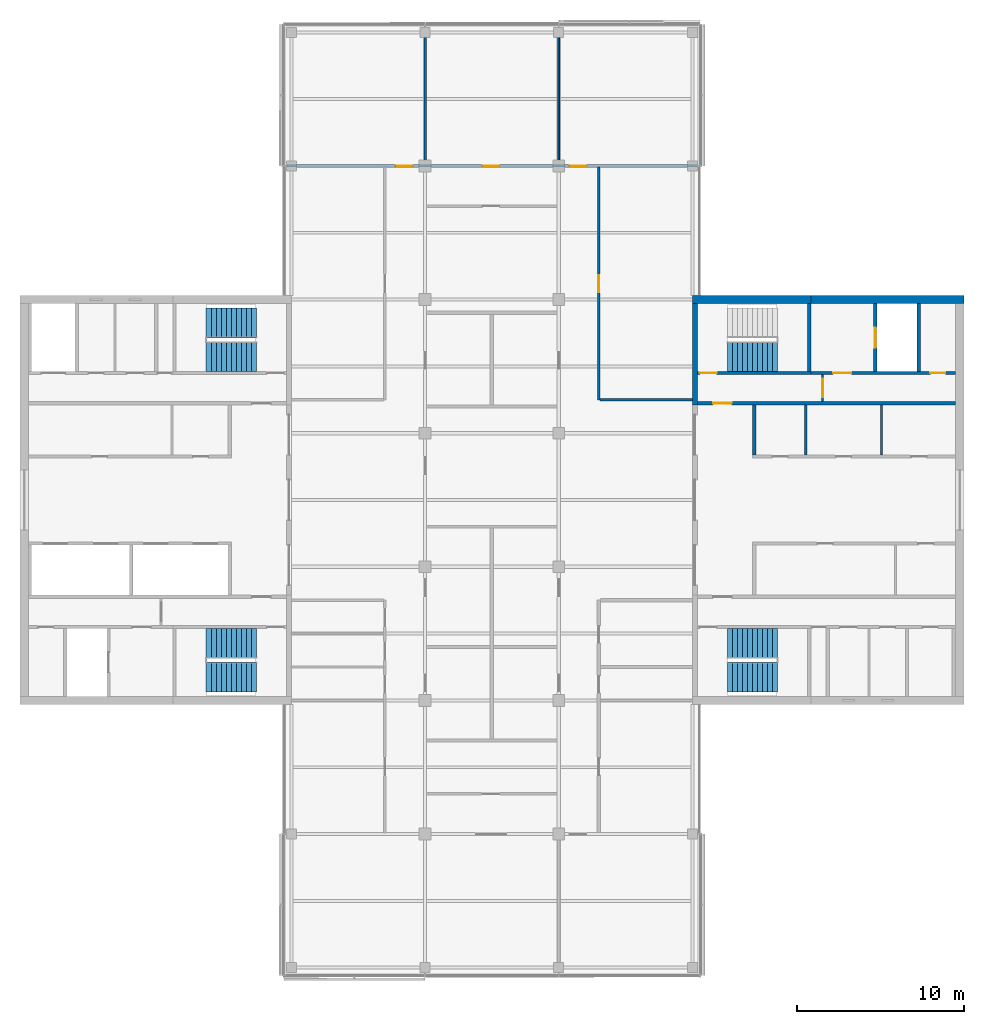
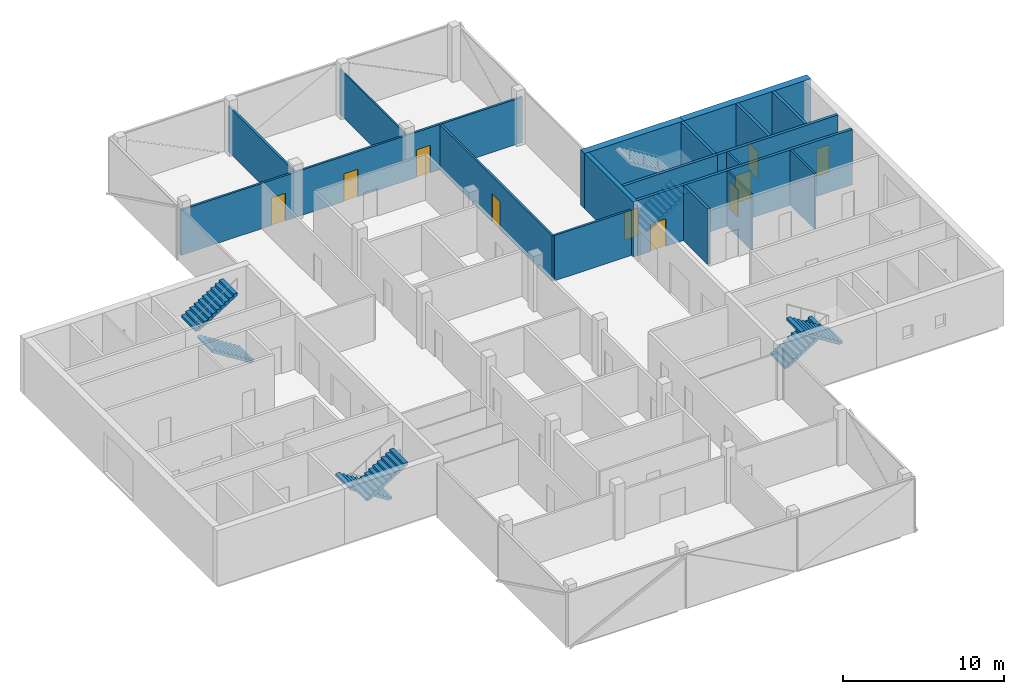
# One storey, part 12 of 16: 18 walls, 10 doors, 7 stair flights, 10 openings, 4 elements without a shape of their own.
"""IFC4 building model written with IfcOpenShell, lengths in metres."""

from ifc_helpers import new_model, si_unit, direction, frame, frame_2d, origin, place, context, subcontext, project, spatial, polyline, rectangle, outline, extrude, material, layer, layer_set, constituent, constituent_set, type_object, element, fill, aggregate, save


model = new_model("IFC4")

# Units and contexts
model_context = context("Model", 3, precision=1e-05, world=origin(), true_north=direction((0.0, 1.0)))
body_context = subcontext(model_context, "Body", "Model", "MODEL_VIEW")
ifc_project = project(units=[si_unit("LENGTHUNIT", "METRE"), si_unit("AREAUNIT", "SQUARE_METRE"), si_unit("VOLUMEUNIT", "CUBIC_METRE"), si_unit("PLANEANGLEUNIT", "RADIAN"), si_unit("MASSUNIT", "GRAM", prefix="KILO")], contexts=[model_context])

# Site, building, storey
site_placement = place(None, origin())
site = spatial("IfcSite", under=ifc_project, at=site_placement, CompositionType="ELEMENT")
building_placement = place(site_placement, origin())
building = spatial("IfcBuilding", under=site, at=building_placement, Name="Crosswind Convention Tower", CompositionType="ELEMENT")
storey_placement = place(building_placement, frame((0.0, 0.0, 291.300048828125)))
storey = spatial("IfcBuildingStorey", under=building, at=storey_placement, Name="L63", CompositionType="ELEMENT", Elevation=291.300048828125)

# Walls
ifc_material_1 = material(Name="Concrete C50/60", Category="concrete")
ifc_layer_1 = layer(ifc_material_1, 0.300048828125)
ifc_layer_set_1 = layer_set([ifc_layer_1], Name="Concrete C50/60")
wall_type_1 = type_object("IfcWallType", Name="Concrete inner core wall 300", PredefinedType="SHEAR", material=ifc_layer_set_1)
wall_1_placement = place(storey_placement, frame((137.14990234375, 105.699951171875, 0.0), z_axis=(0.0, 0.0, 1.0), x_axis=(0.0, 1.0, 0.0)))
element("IfcWall", 1, at=wall_1_placement, inside=storey, type_object=wall_type_1, Name="Wall EP E L63", PredefinedType="SHEAR", context=body_context, shape_type="SweptSolid", body=[
    extrude(rectangle(XDim=6.050048828125, YDim=0.300048828125, at=frame_2d((3.02490234375, 0.0))), origin(), (0.0, 0.0, 1.0), 4.199951171875),
])
ifc_layer_2 = layer(ifc_material_1, 0.199951171875)
ifc_layer_set_2 = layer_set([ifc_layer_2], Name="Concrete C50/60")
wall_type_2 = type_object("IfcWallType", Name="Concrete shaft and stair wall 200", PredefinedType="SHEAR", material=ifc_layer_set_2)
wall_2_placement = place(storey_placement, frame((140.699951171875, 102.699951171875, 0.0), z_axis=(0.0, 0.0, 1.0), x_axis=(0.0, 1.0, 0.0)))
element("IfcWall", 2, at=wall_2_placement, inside=storey, type_object=wall_type_2, Name="Wall RPEND E L63", PredefinedType="SHEAR", context=body_context, shape_type="SweptSolid", body=[
    extrude(rectangle(XDim=3.0, YDim=0.199951171875, at=frame_2d((1.5, 0.0))), origin(), (0.0, 0.0, 1.0), 4.199951171875),
])

# Wall, opening, door
wall_3_placement = place(storey_placement, frame((137.300048828125, 105.800048828125, 0.0), z_axis=(0.0, 0.0, 1.0), x_axis=(1.0, 0.0, 0.0)))
wall_3 = element("IfcWall", 3, at=wall_3_placement, inside=storey, type_object=wall_type_2, Name="Wall HP E L63", PredefinedType="SHEAR", context=body_context, shape_type="SweptSolid", body=[
    extrude(rectangle(XDim=15.449951171875, YDim=0.199951171875, at=frame_2d((7.72509765625, 0.0))), origin(), (0.0, 0.0, 1.0), 4.199951171875),
])
opening_1_placement = place(wall_3_placement, frame((0.949951171875, 0.0, 0.0)))
opening_1 = element("IfcOpeningElement", 4, at=opening_1_placement, cuts=wall_3, Name="Opening D104", PredefinedType="OPENING", context=body_context, shape_type="SweptSolid", body=[
    extrude(rectangle(XDim=1.10009765625, YDim=2.10009765625, at=frame_2d((0.550048828125, 1.050048828125))), frame((0.0, 0.10986328125, 0.0), z_axis=(0.0, -1.0, 0.0), x_axis=(1.0, 0.0, 0.0)), (0.0, 0.0, 1.0), 0.219970703125),
])
ifc_material_2 = material(Name="Steel fire door", Category="steel")
door_type_1 = type_object("IfcDoorType", Name="Fire-rated single door 1100x2100", OperationType="NOTDEFINED", PredefinedType="DOOR", material=ifc_material_2)
door_1_placement = place(opening_1_placement, origin())
door_1 = element("IfcDoor", 5, at=door_1_placement, inside=storey, type_object=door_type_1, Name="Corridor door L63", ObjectType="D104", OperationType="SINGLE_SWING_LEFT", OverallHeight=2.10009765625, OverallWidth=1.10009765625, PredefinedType="DOOR", context=body_context, shape_type="SweptSolid", body=[
    extrude(rectangle(XDim=1.10009765625, YDim=2.10009765625, at=frame_2d((0.550048828125, 1.050048828125))), frame((0.0, 0.02490234375, 0.0), z_axis=(0.0, -1.0, 0.0), x_axis=(1.0, 0.0, 0.0)), (0.0, 0.0, 1.0), 0.050048828125),
])
fill(opening_1, door_1)

# Wall
wall_4_placement = place(storey_placement, frame((144.0, 107.699951171875, 0.0), z_axis=(0.0, 0.0, 1.0), x_axis=(0.0, 1.0, 0.0)))
element("IfcWall", 6, at=wall_4_placement, inside=storey, type_object=wall_type_2, Name="Wall PSE E L63", PredefinedType="SHEAR", context=body_context, shape_type="SweptSolid", body=[
    extrude(rectangle(XDim=4.050048828125, YDim=0.199951171875, at=frame_2d((2.02490234375, 0.0))), origin(), (0.0, 0.0, 1.0), 4.199951171875),
])

# Wall, opening, door
wall_5_placement = place(storey_placement, frame((147.949951171875, 107.699951171875, 0.0), z_axis=(0.0, 0.0, 1.0), x_axis=(0.0, 1.0, 0.0)))
wall_5 = element("IfcWall", 7, at=wall_5_placement, inside=storey, type_object=wall_type_2, Name="Wall PFLW E L63", PredefinedType="SHEAR", context=body_context, shape_type="SweptSolid", body=[
    extrude(rectangle(XDim=4.050048828125, YDim=0.199951171875, at=frame_2d((2.02490234375, 0.0))), origin(), (0.0, 0.0, 1.0), 4.199951171875),
])
opening_2_placement = place(wall_5_placement, frame((1.425048828125, 0.0, 0.0)))
opening_2 = element("IfcOpeningElement", 8, at=opening_2_placement, cuts=wall_5, Name="Opening LD1", PredefinedType="OPENING", context=body_context, shape_type="SweptSolid", body=[
    extrude(rectangle(XDim=1.199951171875, YDim=2.10009765625, at=frame_2d((0.60009765625, 1.050048828125))), frame((0.0, 0.10986328125, 0.0), z_axis=(0.0, -1.0, 0.0), x_axis=(1.0, 0.0, 0.0)), (0.0, 0.0, 1.0), 0.219970703125),
])
ifc_material_3 = material(Name="Stainless steel", Category="steel")
door_type_2 = type_object("IfcDoorType", Name="Lift landing door 1200x2100", OperationType="DOUBLE_DOOR_SLIDING", PredefinedType="DOOR", material=ifc_material_3)
door_2_placement = place(opening_2_placement, origin())
door_2 = element("IfcDoor", 9, at=door_2_placement, inside=storey, type_object=door_type_2, Name="Landing door FF1 L63", ObjectType="LD1", OperationType="DOUBLE_DOOR_SLIDING", OverallHeight=2.10009765625, OverallWidth=1.199951171875, PredefinedType="DOOR", context=body_context, shape_type="SweptSolid", body=[
    extrude(rectangle(XDim=1.199951171875, YDim=2.10009765625, at=frame_2d((0.60009765625, 1.050048828125))), frame((0.0, 0.02490234375, 0.0), z_axis=(0.0, -1.0, 0.0), x_axis=(1.0, 0.0, 0.0)), (0.0, 0.0, 1.0), 0.050048828125),
])
fill(opening_2, door_2)

# Wall
wall_6_placement = place(storey_placement, frame((150.550048828125, 107.699951171875, 0.0), z_axis=(0.0, 0.0, 1.0), x_axis=(0.0, 1.0, 0.0)))
element("IfcWall", 10, at=wall_6_placement, inside=storey, type_object=wall_type_2, Name="Wall PFSE E L63", PredefinedType="SHEAR", context=body_context, shape_type="SweptSolid", body=[
    extrude(rectangle(XDim=4.050048828125, YDim=0.199951171875, at=frame_2d((2.02490234375, 0.0))), origin(), (0.0, 0.0, 1.0), 4.199951171875),
])

# Wall, opening, door
wall_7_placement = place(storey_placement, frame((137.300048828125, 107.60009765625, 0.0), z_axis=(0.0, 0.0, 1.0), x_axis=(1.0, 0.0, 0.0)))
wall_7 = element("IfcWall", 11, at=wall_7_placement, inside=storey, type_object=wall_type_2, Name="Wall PCW E L63", PredefinedType="SHEAR", context=body_context, shape_type="SweptSolid", body=[
    extrude(rectangle(XDim=6.800048828125, YDim=0.199951171875, at=frame_2d((3.39990234375, 0.0))), origin(), (0.0, 0.0, 1.0), 4.199951171875),
])
opening_3_placement = place(wall_7_placement, frame((0.14990234375, 0.0, 0.0)))
opening_3 = element("IfcOpeningElement", 12, at=opening_3_placement, cuts=wall_7, Name="Opening D103", PredefinedType="OPENING", context=body_context, shape_type="SweptSolid", body=[
    extrude(rectangle(XDim=1.0, YDim=2.10009765625, at=frame_2d((0.5, 1.050048828125))), frame((0.0, 0.10986328125, 0.0), z_axis=(0.0, -1.0, 0.0), x_axis=(1.0, 0.0, 0.0)), (0.0, 0.0, 1.0), 0.219970703125),
])
door_type_3 = type_object("IfcDoorType", Name="Fire-rated single door 1000x2100", OperationType="NOTDEFINED", PredefinedType="DOOR", material=ifc_material_2)
door_3_placement = place(opening_3_placement, origin())
door_3 = element("IfcDoor", 13, at=door_3_placement, inside=storey, type_object=door_type_3, Name="Stair ST1 door L63", ObjectType="D103", OperationType="SINGLE_SWING_LEFT", OverallHeight=2.10009765625, OverallWidth=1.0, PredefinedType="DOOR", context=body_context, shape_type="SweptSolid", body=[
    extrude(rectangle(XDim=1.0, YDim=2.10009765625, at=frame_2d((0.5, 1.050048828125))), frame((0.0, 0.02490234375, 0.0), z_axis=(0.0, -1.0, 0.0), x_axis=(1.0, 0.0, 0.0)), (0.0, 0.0, 1.0), 0.050048828125),
])
fill(opening_3, door_3)

# Wall, openings, doors
wall_8_placement = place(storey_placement, frame((144.10009765625, 107.60009765625, 0.0), z_axis=(0.0, 0.0, 1.0), x_axis=(1.0, 0.0, 0.0)))
wall_8 = element("IfcWall", 14, at=wall_8_placement, inside=storey, type_object=wall_type_2, Name="Wall PCX E L63", PredefinedType="SHEAR", context=body_context, shape_type="SweptSolid", body=[
    extrude(rectangle(XDim=8.64990234375, YDim=0.199951171875, at=frame_2d((4.324951171875, 0.0))), origin(), (0.0, 0.0, 1.0), 4.199951171875),
])
opening_4_placement = place(wall_8_placement, frame((1.324951171875, 0.0, 0.0)))
opening_4 = element("IfcOpeningElement", 15, at=opening_4_placement, cuts=wall_8, Name="Opening D104", PredefinedType="OPENING", context=body_context, shape_type="SweptSolid", body=[
    extrude(rectangle(XDim=1.10009765625, YDim=2.10009765625, at=frame_2d((0.550048828125, 1.050048828125))), frame((0.0, 0.10986328125, 0.0), z_axis=(0.0, -1.0, 0.0), x_axis=(1.0, 0.0, 0.0)), (0.0, 0.0, 1.0), 0.219970703125),
])
opening_5_placement = place(wall_8_placement, frame((7.14990234375, 0.0, 0.0)))
opening_5 = element("IfcOpeningElement", 16, at=opening_5_placement, cuts=wall_8, Name="Opening D106", PredefinedType="OPENING", context=body_context, shape_type="SweptSolid", body=[
    extrude(rectangle(XDim=0.89990234375, YDim=2.10009765625, at=frame_2d((0.449951171875, 1.050048828125))), frame((0.0, 0.10986328125, 0.0), z_axis=(0.0, -1.0, 0.0), x_axis=(1.0, 0.0, 0.0)), (0.0, 0.0, 1.0), 0.219970703125),
])
door_4_placement = place(opening_4_placement, origin())
door_4 = element("IfcDoor", 17, at=door_4_placement, inside=storey, type_object=door_type_1, Name="Fire-fighting lobby FF1 door L63", ObjectType="D104", OperationType="SINGLE_SWING_RIGHT", OverallHeight=2.10009765625, OverallWidth=1.10009765625, PredefinedType="DOOR", context=body_context, shape_type="SweptSolid", body=[
    extrude(rectangle(XDim=1.10009765625, YDim=2.10009765625, at=frame_2d((0.550048828125, 1.050048828125))), frame((0.0, 0.02490234375, 0.0), z_axis=(0.0, -1.0, 0.0), x_axis=(1.0, 0.0, 0.0)), (0.0, 0.0, 1.0), 0.050048828125),
])
fill(opening_4, door_4)
ifc_material_4 = material(Name="Timber door", Category="wood")
door_type_4 = type_object("IfcDoorType", Name="Single leaf door 900x2100", OperationType="NOTDEFINED", PredefinedType="DOOR", material=ifc_material_4)
door_5_placement = place(opening_5_placement, origin())
door_5 = element("IfcDoor", 18, at=door_5_placement, inside=storey, type_object=door_type_4, Name="Door to electrical room L63", ObjectType="D106", OperationType="SINGLE_SWING_RIGHT", OverallHeight=2.10009765625, OverallWidth=0.89990234375, PredefinedType="DOOR", context=body_context, shape_type="SweptSolid", body=[
    extrude(rectangle(XDim=0.89990234375, YDim=2.10009765625, at=frame_2d((0.449951171875, 1.050048828125))), frame((0.0, 0.02490234375, 0.0), z_axis=(0.0, -1.0, 0.0), x_axis=(1.0, 0.0, 0.0)), (0.0, 0.0, 1.0), 0.050048828125),
])
fill(opening_5, door_5)

# Walls
ifc_material_5 = material(Name="Gypsum plasterboard partition", Category="gypsum")
ifc_layer_3 = layer(ifc_material_5, 0.125)
ifc_layer_set_3 = layer_set([ifc_layer_3], Name="Drywall partition wall 125")
wall_type_3 = type_object("IfcWallType", Name="Drywall partition wall 125", PredefinedType="PARTITIONING", material=ifc_layer_set_3)
for number, where, z_axis, x_axis, name in (
    (19, (143.78759765625, 102.699951171875, 0.0), (0.0, 0.0, 1.0), (0.0, 1.0, 0.0), "Wall RPP1 E L63"),
    (20, (148.32861328125, 102.699951171875, 0.0), (0.0, 0.0, 1.0), (0.0, 1.0, 0.0), "Wall RPP2 E L63"),
):
    element("IfcWall", number, at=place(storey_placement, frame(where, z_axis=z_axis, x_axis=x_axis)), inside=storey, type_object=wall_type_3, Name=name, PredefinedType="PARTITIONING", context=body_context, shape_type="SweptSolid", body=[
        extrude(rectangle(XDim=3.0, YDim=0.125, at=frame_2d((1.5, 0.0))), origin(), (0.0, 0.0, 1.0), 4.199951171875),
    ])

# Wall, opening, door
wall_9_placement = place(storey_placement, frame((144.800048828125, 105.89990234375, 0.0), z_axis=(0.0, 0.0, 1.0), x_axis=(0.0, 1.0, 0.0)))
wall_9 = element("IfcWall", 21, at=wall_9_placement, inside=storey, type_object=wall_type_3, Name="Wall PXC1 E L63", PredefinedType="PARTITIONING", context=body_context, shape_type="SweptSolid", body=[
    extrude(rectangle(XDim=1.60009765625, YDim=0.125, at=frame_2d((0.800048828125, 0.0))), origin(), (0.0, 0.0, 1.0), 4.199951171875),
])
opening_6_placement = place(wall_9_placement, frame((0.25, 0.0, 0.0)))
opening_6 = element("IfcOpeningElement", 22, at=opening_6_placement, cuts=wall_9, Name="Opening D104", PredefinedType="OPENING", context=body_context, shape_type="SweptSolid", body=[
    extrude(rectangle(XDim=1.10009765625, YDim=2.10009765625, at=frame_2d((0.550048828125, 1.050048828125))), frame((0.0, 0.072509765625, 0.0), z_axis=(0.0, -1.0, 0.0), x_axis=(1.0, 0.0, 0.0)), (0.0, 0.0, 1.0), 0.14501953125),
])
door_6_placement = place(opening_6_placement, origin())
door_6 = element("IfcDoor", 23, at=door_6_placement, inside=storey, type_object=door_type_1, Name="Corridor smoke door L63", ObjectType="D104", OperationType="SINGLE_SWING_RIGHT", OverallHeight=2.10009765625, OverallWidth=1.10009765625, PredefinedType="DOOR", context=body_context, shape_type="SweptSolid", body=[
    extrude(rectangle(XDim=1.10009765625, YDim=2.10009765625, at=frame_2d((0.550048828125, 1.050048828125))), frame((0.0, 0.02490234375, 0.0), z_axis=(0.0, -1.0, 0.0), x_axis=(1.0, 0.0, 0.0)), (0.0, 0.0, 1.0), 0.050048828125),
])
fill(opening_6, door_6)

# Walls
ifc_material_6 = material(Name="Plasterboard partition", Category="gypsum")
ifc_layer_4 = layer(ifc_material_6, 0.10009765625)
ifc_layer_set_4 = layer_set([ifc_layer_4], Name="PARTITION 100 METAL STUD")
wall_type_4 = type_object("IfcWallType", Name="PARTITION 100 METAL STUD", PredefinedType="PARTITIONING", material=ifc_layer_set_4)
wall_10_placement = place(storey_placement, frame((129.0, 120.074951171875, 0.0), z_axis=(0.0, 0.0, 1.0), x_axis=(0.0, 1.0, 0.0)))
element("IfcWall", 24, at=wall_10_placement, inside=storey, type_object=wall_type_4, Name="Partition wall WT40", PredefinedType="PARTITIONING", context=body_context, shape_type="SweptSolid", body=[
    extrude(rectangle(XDim=8.195068359375, YDim=0.10009765625, at=frame_2d((4.09765625, 0.0))), origin(), (0.0, 0.0, 1.0), 3.44287109375),
])
ifc_material_7 = material(Name="Fire-board partition with mineral wool", Category="gypsum")
ifc_layer_5 = layer(ifc_material_7, 0.14990234375)
ifc_layer_set_5 = layer_set([ifc_layer_5], Name="TENANCY WALL 150 TWO-HOUR BOARD")
wall_type_5 = type_object("IfcWallType", Name="TENANCY WALL 150 TWO-HOUR BOARD", PredefinedType="PARTITIONING", material=ifc_layer_set_5)
wall_11_placement = place(storey_placement, frame((121.0, 120.074951171875, 0.0), z_axis=(0.0, 0.0, 1.0), x_axis=(0.0, 1.0, 0.0)))
element("IfcWall", 25, at=wall_11_placement, inside=storey, type_object=wall_type_5, Name="Tenancy wall WT41", PredefinedType="PARTITIONING", context=body_context, shape_type="SweptSolid", body=[
    extrude(rectangle(XDim=8.195068359375, YDim=0.14990234375, at=frame_2d((4.09765625, 0.0))), origin(), (0.0, 0.0, 1.0), 3.44287109375),
])

# Wall, opening, door
wall_12_placement = place(storey_placement, frame((131.39990234375, 106.0, 0.0), z_axis=(0.0, 0.0, 1.0), x_axis=(0.0, 1.0, 0.0)))
wall_12 = element("IfcWall", 26, at=wall_12_placement, inside=storey, type_object=wall_type_5, Name="Tenancy wall WT41", PredefinedType="PARTITIONING", context=body_context, shape_type="SweptSolid", body=[
    extrude(rectangle(XDim=13.925048828125, YDim=0.14990234375, at=frame_2d((6.96240234375, 0.0))), origin(), (0.0, 0.0, 1.0), 3.44287109375),
])
opening_7_placement = place(wall_12_placement, frame((6.449951171875, 0.0, 0.0)))
opening_7 = element("IfcOpeningElement", 27, at=opening_7_placement, cuts=wall_12, Name="Opening L63-50", PredefinedType="OPENING", context=body_context, shape_type="SweptSolid", body=[
    extrude(rectangle(XDim=1.0, YDim=2.10009765625, at=frame_2d((0.5, 1.050048828125))), frame((0.0, 0.0849609375, 0.0), z_axis=(0.0, -1.0, 0.0), x_axis=(1.0, 0.0, 0.0)), (0.0, 0.0, 1.0), 0.169921875),
])
ifc_material_8 = material(Name="Timber fire door", Category="wood")
door_type_5 = type_object("IfcDoorType", Name="TENANCY ENTRANCE DOOR 1000X2100 FD30S", OperationType="NOTDEFINED", PredefinedType="DOOR", material=ifc_material_8)
door_7_placement = place(opening_7_placement, frame((1.0, 0.0, 0.0), z_axis=(0.0, 0.0, 1.0), x_axis=(-1.0, 0.0, 0.0)))
door_7 = element("IfcDoor", 28, at=door_7_placement, inside=storey, type_object=door_type_5, Name="Door L63-50", ObjectType="D41", OperationType="SINGLE_SWING_LEFT", OverallHeight=2.10009765625, OverallWidth=1.0, PredefinedType="DOOR", context=body_context, shape_type="SweptSolid", body=[
    extrude(rectangle(XDim=1.0, YDim=2.10009765625, at=frame_2d((0.5, 1.050048828125))), frame((0.0, 0.02490234375, 0.0), z_axis=(0.0, -1.0, 0.0), x_axis=(1.0, 0.0, 0.0)), (0.0, 0.0, 1.0), 0.050048828125),
])
fill(opening_7, door_7)

# Wall
wall_13_placement = place(storey_placement, frame((131.47509765625, 106.0, 0.0), z_axis=(0.0, 0.0, 1.0), x_axis=(1.0, 0.0, 0.0)))
element("IfcWall", 29, at=wall_13_placement, inside=storey, type_object=wall_type_5, Name="Tenancy wall WT41", PredefinedType="PARTITIONING", context=body_context, shape_type="SweptSolid", body=[
    extrude(rectangle(XDim=5.52490234375, YDim=0.14990234375, at=frame_2d((2.762451171875, 0.0))), origin(), (0.0, 0.0, 1.0), 3.44287109375),
])

# Wall, openings, doors
wall_14_placement = place(storey_placement, frame((112.72998046875, 120.0, 0.0), z_axis=(0.0, 0.0, 1.0), x_axis=(1.0, 0.0, 0.0)))
wall_14 = element("IfcWall", 30, at=wall_14_placement, inside=storey, type_object=wall_type_5, Name="Tenancy wall WT41", PredefinedType="PARTITIONING", context=body_context, shape_type="SweptSolid", body=[
    extrude(rectangle(XDim=24.5400390625, YDim=0.14990234375, at=frame_2d((12.27001953125, 0.0))), origin(), (0.0, 0.0, 1.0), 3.44287109375),
])
opening_8_placement = place(wall_14_placement, frame((6.52001953125, 0.0, 0.0)))
opening_8 = element("IfcOpeningElement", 31, at=opening_8_placement, cuts=wall_14, Name="Opening L63-59", PredefinedType="OPENING", context=body_context, shape_type="SweptSolid", body=[
    extrude(rectangle(XDim=1.0, YDim=2.10009765625, at=frame_2d((0.5, 1.050048828125))), frame((0.0, 0.0849609375, 0.0), z_axis=(0.0, -1.0, 0.0), x_axis=(1.0, 0.0, 0.0)), (0.0, 0.0, 1.0), 0.169921875),
])
opening_9_placement = place(wall_14_placement, frame((11.719970703125, 0.0, 0.0)))
opening_9 = element("IfcOpeningElement", 32, at=opening_9_placement, cuts=wall_14, Name="Opening L63-60", PredefinedType="OPENING", context=body_context, shape_type="SweptSolid", body=[
    extrude(rectangle(XDim=1.0, YDim=2.10009765625, at=frame_2d((0.5, 1.050048828125))), frame((0.0, 0.0849609375, 0.0), z_axis=(0.0, -1.0, 0.0), x_axis=(1.0, 0.0, 0.0)), (0.0, 0.0, 1.0), 0.169921875),
])
opening_10_placement = place(wall_14_placement, frame((16.919921875, 0.0, 0.0)))
opening_10 = element("IfcOpeningElement", 33, at=opening_10_placement, cuts=wall_14, Name="Opening L63-61", PredefinedType="OPENING", context=body_context, shape_type="SweptSolid", body=[
    extrude(rectangle(XDim=1.0, YDim=2.10009765625, at=frame_2d((0.5, 1.050048828125))), frame((0.0, 0.0849609375, 0.0), z_axis=(0.0, -1.0, 0.0), x_axis=(1.0, 0.0, 0.0)), (0.0, 0.0, 1.0), 0.169921875),
])
door_8_placement = place(opening_8_placement, origin())
door_8 = element("IfcDoor", 34, at=door_8_placement, inside=storey, type_object=door_type_5, Name="Door L63-59", ObjectType="D41", OperationType="SINGLE_SWING_RIGHT", OverallHeight=2.10009765625, OverallWidth=1.0, PredefinedType="DOOR", context=body_context, shape_type="SweptSolid", body=[
    extrude(rectangle(XDim=1.0, YDim=2.10009765625, at=frame_2d((0.5, 1.050048828125))), frame((0.0, 0.02490234375, 0.0), z_axis=(0.0, -1.0, 0.0), x_axis=(1.0, 0.0, 0.0)), (0.0, 0.0, 1.0), 0.050048828125),
])
fill(opening_8, door_8)
door_9_placement = place(opening_9_placement, origin())
door_9 = element("IfcDoor", 35, at=door_9_placement, inside=storey, type_object=door_type_5, Name="Door L63-60", ObjectType="D41", OperationType="SINGLE_SWING_LEFT", OverallHeight=2.10009765625, OverallWidth=1.0, PredefinedType="DOOR", context=body_context, shape_type="SweptSolid", body=[
    extrude(rectangle(XDim=1.0, YDim=2.10009765625, at=frame_2d((0.5, 1.050048828125))), frame((0.0, 0.02490234375, 0.0), z_axis=(0.0, -1.0, 0.0), x_axis=(1.0, 0.0, 0.0)), (0.0, 0.0, 1.0), 0.050048828125),
])
fill(opening_9, door_9)
door_10_placement = place(opening_10_placement, origin())
door_10 = element("IfcDoor", 36, at=door_10_placement, inside=storey, type_object=door_type_5, Name="Door L63-61", ObjectType="D41", OperationType="SINGLE_SWING_LEFT", OverallHeight=2.10009765625, OverallWidth=1.0, PredefinedType="DOOR", context=body_context, shape_type="SweptSolid", body=[
    extrude(rectangle(XDim=1.0, YDim=2.10009765625, at=frame_2d((0.5, 1.050048828125))), frame((0.0, 0.02490234375, 0.0), z_axis=(0.0, -1.0, 0.0), x_axis=(1.0, 0.0, 0.0)), (0.0, 0.0, 1.0), 0.050048828125),
])
fill(opening_10, door_10)

# Walls
ifc_material_9 = material(Name="Concrete C60/75", Category="concrete")
ifc_constituent_1 = constituent(ifc_material_9, Name="Structure")
ifc_material_10 = material(Name="Terracotta rainscreen", Category="ceramic")
ifc_constituent_2 = constituent(ifc_material_10, Name="Facing")
ifc_constituent_set = constituent_set(constituents=[ifc_constituent_1, ifc_constituent_2], Name="Concrete C60/75, Terracotta rainscreen")
wall_type_6 = type_object("IfcWallType", Name="Terracotta rainscreen on concrete core wall 500", PredefinedType="SHEAR", material=ifc_constituent_set)
wall_15_placement = place(storey_placement, frame((137.0, 112.0, 0.0), z_axis=(0.0, 0.0, 1.0), x_axis=(1.0, 0.0, 0.0)))
element("IfcWall", 37, at=wall_15_placement, inside=storey, type_object=wall_type_6, Name="Wall N1 E L63", PredefinedType="SHEAR", context=body_context, shape_type="SweptSolid", body=[
    extrude(rectangle(XDim=7.10009765625, YDim=0.5, at=frame_2d((3.550048828125, 0.0))), origin(), (0.0, 0.0, 1.0), 4.199951171875),
])
wall_16_placement = place(storey_placement, frame((144.10009765625, 112.0, 0.0), z_axis=(0.0, 0.0, 1.0), x_axis=(1.0, 0.0, 0.0)))
element("IfcWall", 38, at=wall_16_placement, inside=storey, type_object=wall_type_6, Name="Wall N2 E L63", PredefinedType="SHEAR", context=body_context, shape_type="SweptSolid", body=[
    extrude(rectangle(XDim=9.14990234375, YDim=0.5, at=frame_2d((4.574951171875, 0.0))), origin(), (0.0, 0.0, 1.0), 4.199951171875),
])

# Stair, stair flight
ifc_material_11 = material(Name="Concrete C40/50", Category="concrete")
stair_type = type_object("IfcStairType", Name="Exit stair 1800 wide, 2 flights of 11 risers", PredefinedType="HALF_TURN_STAIR", material=ifc_material_11)
stair_1_placement = place(storey_placement, origin())
stair_1 = element("IfcStair", 39, at=stair_1_placement, inside=storey, type_object=stair_type, Name="Exit stair ST1 L63", ObjectType="ST5", PredefinedType="HALF_TURN_STAIR")
stair_flight_type = type_object("IfcStairFlightType", Name="Stair flight 1800 wide, 11 risers (SF4)", PredefinedType="STRAIGHT", material=ifc_material_11)
stair_flight_1_placement = place(storey_placement, frame((139.10009765625, 108.60009765625, 0.0), z_axis=(0.0, 0.0, 1.0), x_axis=(1.0, 0.0, 0.0)))
stair_flight_1 = element("IfcStairFlight", 40, at=stair_flight_1_placement, type_object=stair_flight_type, Name="ST1 flight 1", NumberOfRisers=11, NumberOfTreads=10, PredefinedType="STRAIGHT", RiserHeight=0.190909091, TreadLength=0.3, context=body_context, shape_type="SweptSolid", body=[
    extrude(outline(polyline([(0.0, 0.0), (0.0, 0.19091796875), (0.300048828125, 0.19091796875), (0.300048828125, 0.3818359375), (0.60009765625, 0.3818359375), (0.60009765625, 0.57275390625), (0.89990234375, 0.57275390625), (0.89990234375, 0.763671875), (1.199951171875, 0.763671875), (1.199951171875, 0.95458984375), (1.5, 0.95458984375), (1.5, 1.1455078125), (1.800048828125, 1.1455078125), (1.800048828125, 1.33642578125), (2.10009765625, 1.33642578125), (2.10009765625, 1.52734375), (2.39990234375, 1.52734375), (2.39990234375, 1.71826171875), (2.699951171875, 1.71826171875), (2.699951171875, 1.9091796875), (3.0, 1.9091796875), (3.0, 2.10009765625), (3.0, 1.7314453125), (0.279296875, 0.0), (0.0, 0.0)])), frame((0.0, 0.89990234375, 0.0), z_axis=(0.0, -1.0, 0.0), x_axis=(1.0, 0.0, 0.0)), (0.0, 0.0, 1.0), 1.800048828125),
])
aggregate(stair_1, [stair_flight_1])

# Stair, stair flights
stair_2_placement = place(storey_placement, origin())
stair_2 = element("IfcStair", 41, at=stair_2_placement, inside=storey, type_object=stair_type, Name="Exit stair ST2 L63", ObjectType="ST5", PredefinedType="HALF_TURN_STAIR")
stair_flight_2_placement = place(storey_placement, frame((139.10009765625, 91.39990234375, 0.0), z_axis=(0.0, 0.0, 1.0), x_axis=(1.0, 0.0, 0.0)))
stair_flight_2 = element("IfcStairFlight", 42, at=stair_flight_2_placement, type_object=stair_flight_type, Name="ST2 flight 1", NumberOfRisers=11, NumberOfTreads=10, PredefinedType="STRAIGHT", RiserHeight=0.190909091, TreadLength=0.3, context=body_context, shape_type="SweptSolid", body=[
    extrude(outline(polyline([(0.0, 0.0), (0.0, 0.19091796875), (0.300048828125, 0.19091796875), (0.300048828125, 0.3818359375), (0.60009765625, 0.3818359375), (0.60009765625, 0.57275390625), (0.89990234375, 0.57275390625), (0.89990234375, 0.763671875), (1.199951171875, 0.763671875), (1.199951171875, 0.95458984375), (1.5, 0.95458984375), (1.5, 1.1455078125), (1.800048828125, 1.1455078125), (1.800048828125, 1.33642578125), (2.10009765625, 1.33642578125), (2.10009765625, 1.52734375), (2.39990234375, 1.52734375), (2.39990234375, 1.71826171875), (2.699951171875, 1.71826171875), (2.699951171875, 1.9091796875), (3.0, 1.9091796875), (3.0, 2.10009765625), (3.0, 1.7314453125), (0.279296875, 0.0), (0.0, 0.0)])), frame((0.0, 0.89990234375, 0.0), z_axis=(0.0, -1.0, 0.0), x_axis=(1.0, 0.0, 0.0)), (0.0, 0.0, 1.0), 1.800048828125),
])
stair_flight_3_placement = place(storey_placement, frame((142.10009765625, 89.39990234375, 2.099853515625), z_axis=(0.0, 0.0, 1.0), x_axis=(-1.0, 0.0, 0.0)))
stair_flight_3 = element("IfcStairFlight", 43, at=stair_flight_3_placement, type_object=stair_flight_type, Name="ST2 flight 2", NumberOfRisers=11, NumberOfTreads=10, PredefinedType="STRAIGHT", RiserHeight=0.190909091, TreadLength=0.3, context=body_context, shape_type="SweptSolid", body=[
    extrude(outline(polyline([(0.0, 0.0), (0.0, 0.19091796875), (0.300048828125, 0.19091796875), (0.300048828125, 0.3818359375), (0.60009765625, 0.3818359375), (0.60009765625, 0.57275390625), (0.89990234375, 0.57275390625), (0.89990234375, 0.763671875), (1.199951171875, 0.763671875), (1.199951171875, 0.95458984375), (1.5, 0.95458984375), (1.5, 1.1455078125), (1.800048828125, 1.1455078125), (1.800048828125, 1.33642578125), (2.10009765625, 1.33642578125), (2.10009765625, 1.52734375), (2.39990234375, 1.52734375), (2.39990234375, 1.71826171875), (2.699951171875, 1.71826171875), (2.699951171875, 1.9091796875), (3.0, 1.9091796875), (3.0, 2.10009765625), (3.0, 1.7314453125), (0.279296875, 0.0), (0.0, 0.0)])), frame((0.0, 0.89990234375, 0.0), z_axis=(0.0, -1.0, 0.0), x_axis=(1.0, 0.0, 0.0)), (0.0, 0.0, 1.0), 1.800048828125),
])
aggregate(stair_2, [stair_flight_2, stair_flight_3])

stair_3_placement = place(storey_placement, origin())
stair_3 = element("IfcStair", 44, at=stair_3_placement, inside=storey, type_object=stair_type, Name="Exit stair ST3 L63", ObjectType="ST5", PredefinedType="HALF_TURN_STAIR")
stair_flight_4_placement = place(storey_placement, frame((110.89990234375, 91.39990234375, 0.0), z_axis=(0.0, 0.0, 1.0), x_axis=(-1.0, 0.0, 0.0)))
stair_flight_4 = element("IfcStairFlight", 45, at=stair_flight_4_placement, type_object=stair_flight_type, Name="ST3 flight 1", NumberOfRisers=11, NumberOfTreads=10, PredefinedType="STRAIGHT", RiserHeight=0.190909091, TreadLength=0.3, context=body_context, shape_type="SweptSolid", body=[
    extrude(outline(polyline([(0.0, 0.0), (0.0, 0.19091796875), (0.300048828125, 0.19091796875), (0.300048828125, 0.3818359375), (0.60009765625, 0.3818359375), (0.60009765625, 0.57275390625), (0.89990234375, 0.57275390625), (0.89990234375, 0.763671875), (1.199951171875, 0.763671875), (1.199951171875, 0.95458984375), (1.5, 0.95458984375), (1.5, 1.1455078125), (1.800048828125, 1.1455078125), (1.800048828125, 1.33642578125), (2.10009765625, 1.33642578125), (2.10009765625, 1.52734375), (2.39990234375, 1.52734375), (2.39990234375, 1.71826171875), (2.699951171875, 1.71826171875), (2.699951171875, 1.9091796875), (3.0, 1.9091796875), (3.0, 2.10009765625), (3.0, 1.7314453125), (0.279296875, 0.0), (0.0, 0.0)])), frame((0.0, 0.89990234375, 0.0), z_axis=(0.0, -1.0, 0.0), x_axis=(1.0, 0.0, 0.0)), (0.0, 0.0, 1.0), 1.800048828125),
])
stair_flight_5_placement = place(storey_placement, frame((107.89990234375, 89.39990234375, 2.099853515625), z_axis=(0.0, 0.0, 1.0), x_axis=(1.0, 0.0, 0.0)))
stair_flight_5 = element("IfcStairFlight", 46, at=stair_flight_5_placement, type_object=stair_flight_type, Name="ST3 flight 2", NumberOfRisers=11, NumberOfTreads=10, PredefinedType="STRAIGHT", RiserHeight=0.190909091, TreadLength=0.3, context=body_context, shape_type="SweptSolid", body=[
    extrude(outline(polyline([(0.0, 0.0), (0.0, 0.19091796875), (0.300048828125, 0.19091796875), (0.300048828125, 0.3818359375), (0.60009765625, 0.3818359375), (0.60009765625, 0.57275390625), (0.89990234375, 0.57275390625), (0.89990234375, 0.763671875), (1.199951171875, 0.763671875), (1.199951171875, 0.95458984375), (1.5, 0.95458984375), (1.5, 1.1455078125), (1.800048828125, 1.1455078125), (1.800048828125, 1.33642578125), (2.10009765625, 1.33642578125), (2.10009765625, 1.52734375), (2.39990234375, 1.52734375), (2.39990234375, 1.71826171875), (2.699951171875, 1.71826171875), (2.699951171875, 1.9091796875), (3.0, 1.9091796875), (3.0, 2.10009765625), (3.0, 1.7314453125), (0.279296875, 0.0), (0.0, 0.0)])), frame((0.0, 0.89990234375, 0.0), z_axis=(0.0, -1.0, 0.0), x_axis=(1.0, 0.0, 0.0)), (0.0, 0.0, 1.0), 1.800048828125),
])
aggregate(stair_3, [stair_flight_4, stair_flight_5])

stair_4_placement = place(storey_placement, origin())
stair_4 = element("IfcStair", 47, at=stair_4_placement, inside=storey, type_object=stair_type, Name="Exit stair ST4 L63", ObjectType="ST5", PredefinedType="HALF_TURN_STAIR")
stair_flight_6_placement = place(storey_placement, frame((110.89990234375, 108.60009765625, 0.0), z_axis=(0.0, 0.0, 1.0), x_axis=(-1.0, 0.0, 0.0)))
stair_flight_6 = element("IfcStairFlight", 48, at=stair_flight_6_placement, type_object=stair_flight_type, Name="ST4 flight 1", NumberOfRisers=11, NumberOfTreads=10, PredefinedType="STRAIGHT", RiserHeight=0.190909091, TreadLength=0.3, context=body_context, shape_type="SweptSolid", body=[
    extrude(outline(polyline([(0.0, 0.0), (0.0, 0.19091796875), (0.300048828125, 0.19091796875), (0.300048828125, 0.3818359375), (0.60009765625, 0.3818359375), (0.60009765625, 0.57275390625), (0.89990234375, 0.57275390625), (0.89990234375, 0.763671875), (1.199951171875, 0.763671875), (1.199951171875, 0.95458984375), (1.5, 0.95458984375), (1.5, 1.1455078125), (1.800048828125, 1.1455078125), (1.800048828125, 1.33642578125), (2.10009765625, 1.33642578125), (2.10009765625, 1.52734375), (2.39990234375, 1.52734375), (2.39990234375, 1.71826171875), (2.699951171875, 1.71826171875), (2.699951171875, 1.9091796875), (3.0, 1.9091796875), (3.0, 2.10009765625), (3.0, 1.7314453125), (0.279296875, 0.0), (0.0, 0.0)])), frame((0.0, 0.89990234375, 0.0), z_axis=(0.0, -1.0, 0.0), x_axis=(1.0, 0.0, 0.0)), (0.0, 0.0, 1.0), 1.800048828125),
])
stair_flight_7_placement = place(storey_placement, frame((107.89990234375, 110.60009765625, 2.099853515625), z_axis=(0.0, 0.0, 1.0), x_axis=(1.0, 0.0, 0.0)))
stair_flight_7 = element("IfcStairFlight", 49, at=stair_flight_7_placement, type_object=stair_flight_type, Name="ST4 flight 2", NumberOfRisers=11, NumberOfTreads=10, PredefinedType="STRAIGHT", RiserHeight=0.190909091, TreadLength=0.3, context=body_context, shape_type="SweptSolid", body=[
    extrude(outline(polyline([(0.0, 0.0), (0.0, 0.19091796875), (0.300048828125, 0.19091796875), (0.300048828125, 0.3818359375), (0.60009765625, 0.3818359375), (0.60009765625, 0.57275390625), (0.89990234375, 0.57275390625), (0.89990234375, 0.763671875), (1.199951171875, 0.763671875), (1.199951171875, 0.95458984375), (1.5, 0.95458984375), (1.5, 1.1455078125), (1.800048828125, 1.1455078125), (1.800048828125, 1.33642578125), (2.10009765625, 1.33642578125), (2.10009765625, 1.52734375), (2.39990234375, 1.52734375), (2.39990234375, 1.71826171875), (2.699951171875, 1.71826171875), (2.699951171875, 1.9091796875), (3.0, 1.9091796875), (3.0, 2.10009765625), (3.0, 1.7314453125), (0.279296875, 0.0), (0.0, 0.0)])), frame((0.0, 0.89990234375, 0.0), z_axis=(0.0, -1.0, 0.0), x_axis=(1.0, 0.0, 0.0)), (0.0, 0.0, 1.0), 1.800048828125),
])
aggregate(stair_4, [stair_flight_6, stair_flight_7])

save(model, "model.ifc")
